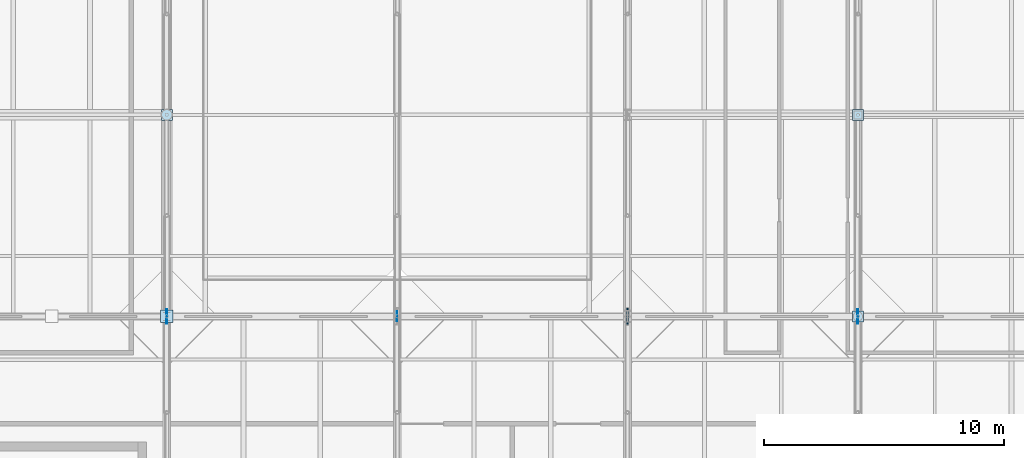
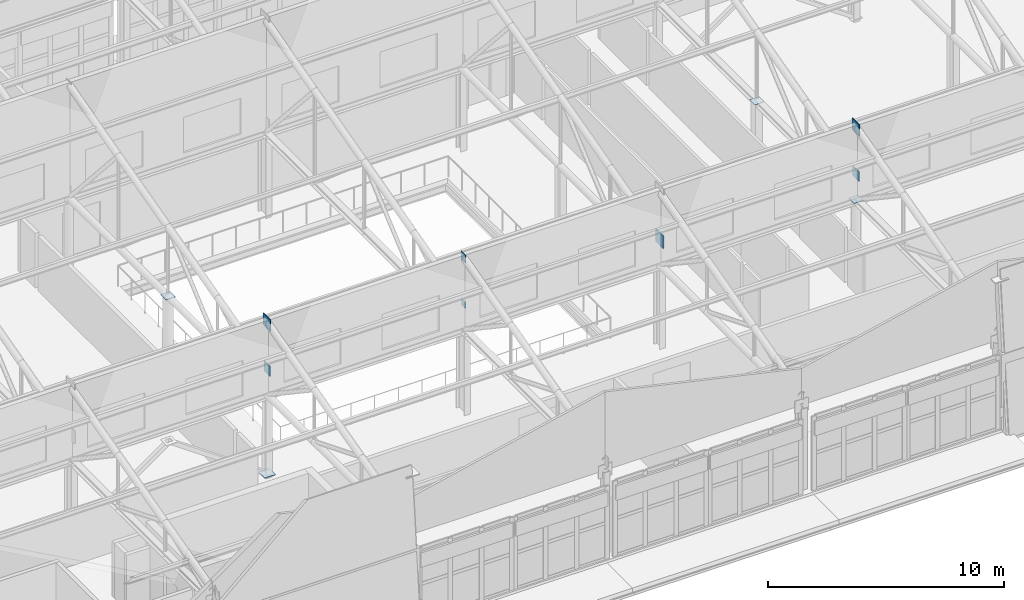
# One storey, part 70 of 89: 11 plates.
"""IFC4 building model written with IfcOpenShell, lengths in metres."""

from ifc_helpers import new_model, si_unit, direction, frame, origin, origin_2d, place, context, subcontext, project, spatial, rectangle, extrude, material, layer, layer_set, type_object, element, save


model = new_model("IFC4")

# Units and contexts
model_context = context("Model", 3, precision=1e-05, world=origin(), true_north=direction((0.0, 1.0)))
body_context = subcontext(model_context, "Body", "Model", "MODEL_VIEW")
ifc_project = project(units=[si_unit("LENGTHUNIT", "METRE"), si_unit("AREAUNIT", "SQUARE_METRE"), si_unit("VOLUMEUNIT", "CUBIC_METRE"), si_unit("PLANEANGLEUNIT", "RADIAN"), si_unit("MASSUNIT", "GRAM", prefix="KILO")], contexts=[model_context])

# Site, building, storey
site_placement = place(None, origin())
site = spatial("IfcSite", under=ifc_project, at=site_placement, CompositionType="ELEMENT")
building_placement = place(site_placement, origin())
building = spatial("IfcBuilding", under=site, at=building_placement, Name="Zereglee Splitstone Museum", CompositionType="ELEMENT")
storey_placement = place(building_placement, frame((0.0, 0.0, 21.300048828125)))
storey = spatial("IfcBuildingStorey", under=building, at=storey_placement, Name="L04", CompositionType="ELEMENT", Elevation=21.300048828125)

# Plates
ifc_material = material(Name="Steel S355J2", Category="steel")
ifc_layer_1 = layer(ifc_material, 0.02001953125)
ifc_layer_set_1 = layer_set([ifc_layer_1], Name="Steel S355J2")
plate_type_1 = type_object("IfcPlateType", Name="EC-01", PredefinedType="SHEET", material=ifc_layer_set_1)
for number, where, z_axis, x_axis, name in (
    (1, (97.199951171875, 30.0, 4.199951171875), (0.0, 0.0, 1.0), (1.0, 0.0, 0.0), "Hollow Column End-Cap Plate EC-01 (97.2,30.0)"),
    (2, (126.0, 21.60009765625, 4.199951171875), (0.0, 0.0, 1.0), (1.0, 0.0, 0.0), "Hollow Column End-Cap Plate EC-01 (126.0,21.6)"),
    (3, (126.0, 30.0, 4.199951171875), (0.0, 0.0, 1.0), (1.0, 0.0, 0.0), "Hollow Column End-Cap Plate EC-01 (126.0,30.0)"),
):
    element("IfcPlate", number, at=place(storey_placement, frame(where, z_axis=z_axis, x_axis=x_axis)), inside=storey, type_object=plate_type_1, Name=name, PredefinedType="SHEET", context=body_context, shape_type="SweptSolid", body=[
        extrude(rectangle(XDim=0.4599609375, YDim=0.4599609375, at=origin_2d()), origin(), (0.0, 0.0, 1.0), 0.02001953125),
    ])
ifc_layer_2 = layer(ifc_material, 0.011962890625)
ifc_layer_set_2 = layer_set([ifc_layer_2], Name="Steel S355J2")
plate_type_2 = type_object("IfcPlateType", Name="NP-06", PredefinedType="SHEET", material=ifc_layer_set_2)
plate_1_placement = place(storey_placement, frame((106.800048828125, 21.60009765625, 5.3798828125), z_axis=(0.0, 0.0, 1.0), x_axis=(1.0, 0.0, 0.0)))
element("IfcPlate", 4, at=plate_1_placement, inside=storey, type_object=plate_type_2, Name="Sawtooth Truss Node Plate TN-04-2.0", PredefinedType="SHEET", context=body_context, shape_type="SweptSolid", body=[
    extrude(rectangle(XDim=0.011962890625, YDim=0.340087890625, at=origin_2d()), origin(), (0.0, 0.0, 1.0), 0.340087890625),
])
ifc_layer_3 = layer(ifc_material, 0.02001953125)
ifc_layer_set_3 = layer_set([ifc_layer_3], Name="Steel S355J2")
plate_type_3 = type_object("IfcPlateType", Name="NP-05", PredefinedType="SHEET", material=ifc_layer_set_3)
plate_2_placement = place(storey_placement, frame((106.800048828125, 21.60009765625, 7.739990234375), z_axis=(0.0, 0.0, 1.0), x_axis=(1.0, 0.0, 0.0)))
element("IfcPlate", 5, at=plate_2_placement, inside=storey, type_object=plate_type_3, Name="Sawtooth Truss Node Plate TN-04-1.3", PredefinedType="SHEET", context=body_context, shape_type="SweptSolid", body=[
    extrude(rectangle(XDim=0.02001953125, YDim=0.419921875, at=origin_2d()), origin(), (0.0, 0.0, 1.0), 0.419921875),
])
ifc_layer_4 = layer(ifc_material, 0.030029296875)
ifc_layer_set_4 = layer_set([ifc_layer_4], Name="Steel S355J2")
plate_type_4 = type_object("IfcPlateType", Name="NP-04", PredefinedType="SHEET", material=ifc_layer_set_4)
for number, where, z_axis, x_axis, name in (
    (6, (97.199951171875, 21.60009765625, 5.2900390625), (0.0, 0.0, 1.0), (1.0, 0.0, 0.0), "Sawtooth Truss Node Plate TN-03-2.0"),
    (7, (126.0, 21.60009765625, 5.2900390625), (0.0, 0.0, 1.0), (1.0, 0.0, 0.0), "Sawtooth Truss Node Plate TN-06-2.0"),
):
    element("IfcPlate", number, at=place(storey_placement, frame(where, z_axis=z_axis, x_axis=x_axis)), inside=storey, type_object=plate_type_4, Name=name, PredefinedType="SHEET", context=body_context, shape_type="SweptSolid", body=[
        extrude(rectangle(XDim=0.030029296875, YDim=0.52001953125, at=origin_2d()), origin(), (0.0, 0.0, 1.0), 0.52001953125),
    ])
plate_3_placement = place(storey_placement, frame((97.199951171875, 21.60009765625, 0.10498046875), z_axis=(0.0, 0.0, 1.0), x_axis=(1.0, 0.0, 0.0)))
element("IfcPlate", 8, at=plate_3_placement, inside=storey, type_object=plate_type_4, Name="CBF Brace Gusset Cap L04-009", PredefinedType="SHEET", context=body_context, shape_type="SweptSolid", body=[
    extrude(rectangle(XDim=0.52001953125, YDim=0.52001953125, at=origin_2d()), origin(), (0.0, 0.0, 1.0), 0.030029296875),
])
ifc_layer_5 = layer(ifc_material, 0.0400390625)
ifc_layer_set_5 = layer_set([ifc_layer_5], Name="Steel S355J2")
plate_type_5 = type_object("IfcPlateType", Name="NP-03", PredefinedType="SHEET", material=ifc_layer_set_5)
for number, where, z_axis, x_axis, name in (
    (9, (97.199951171875, 21.60009765625, 7.64990234375), (0.0, 0.0, 1.0), (1.0, 0.0, 0.0), "Sawtooth Truss Node Plate TN-03-1.3"),
    (10, (126.0, 21.60009765625, 7.64990234375), (0.0, 0.0, 1.0), (1.0, 0.0, 0.0), "Sawtooth Truss Node Plate TN-06-1.3"),
):
    element("IfcPlate", number, at=place(storey_placement, frame(where, z_axis=z_axis, x_axis=x_axis)), inside=storey, type_object=plate_type_5, Name=name, PredefinedType="SHEET", context=body_context, shape_type="SweptSolid", body=[
        extrude(rectangle(XDim=0.0400390625, YDim=0.60009765625, at=origin_2d()), origin(), (0.0, 0.0, 1.0), 0.60009765625),
    ])
ifc_layer_6 = layer(ifc_material, 0.050048828125)
ifc_layer_set_6 = layer_set([ifc_layer_6], Name="Steel S355J2")
plate_type_6 = type_object("IfcPlateType", Name="NP-02", PredefinedType="SHEET", material=ifc_layer_set_6)
plate_4_placement = place(storey_placement, frame((116.39990234375, 21.60009765625, 5.22021484375), z_axis=(0.0, 0.0, 1.0), x_axis=(1.0, 0.0, 0.0)))
element("IfcPlate", 11, at=plate_4_placement, inside=storey, type_object=plate_type_6, Name="Sawtooth Truss Node Plate TN-05-2.0", PredefinedType="SHEET", context=body_context, shape_type="SweptSolid", body=[
    extrude(rectangle(XDim=0.050048828125, YDim=0.659912109375, at=origin_2d()), origin(), (0.0, 0.0, 1.0), 0.659912109375),
])

save(model, "model.ifc")
